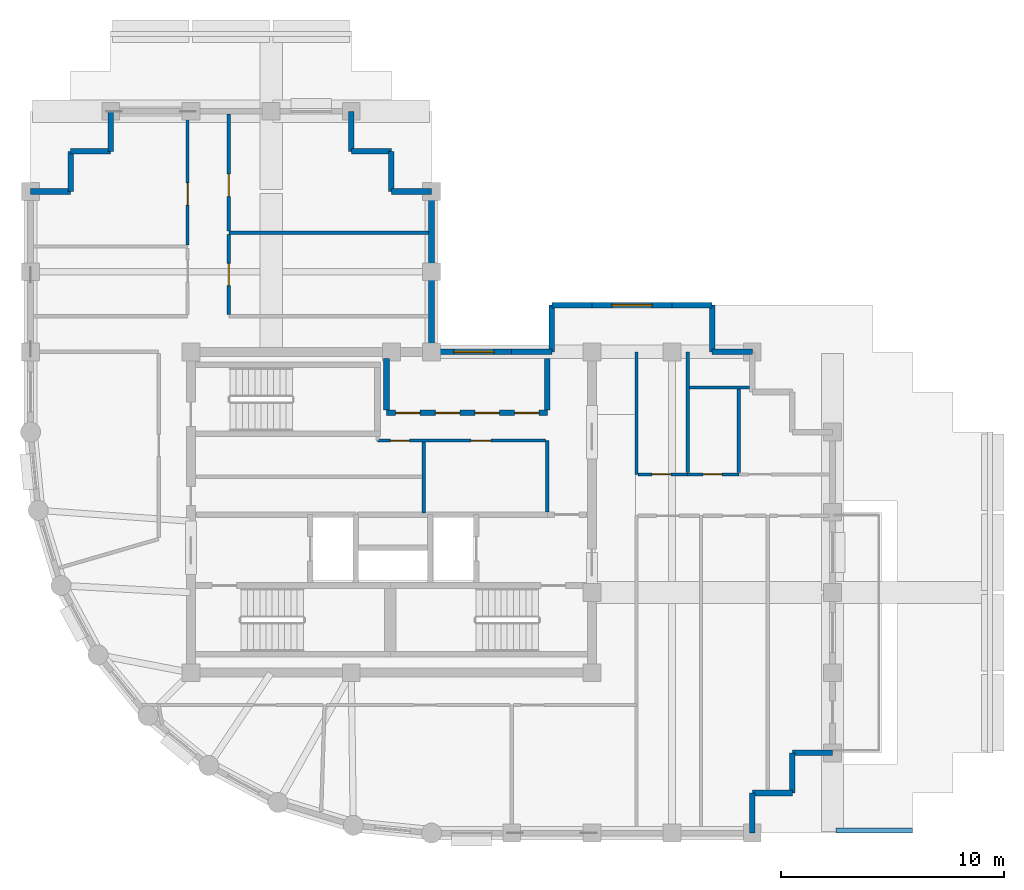
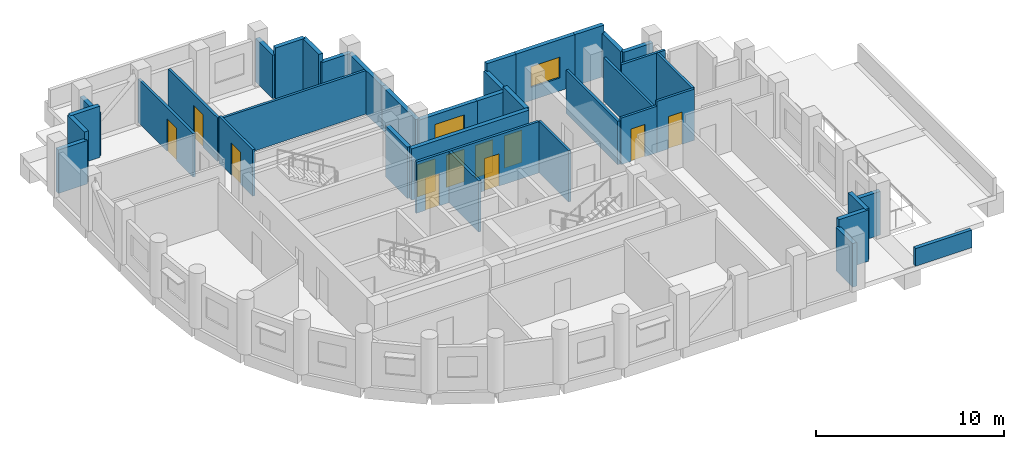
# One storey, part 4 of 7: 39 walls, 11 doors, 2 windows, 13 openings.
"""IFC4 building model written with IfcOpenShell, lengths in metres."""

import ifcopenshell
import ifcopenshell.guid

model = None  # the IFC model being written
_history = None  # IfcOwnerHistory: only IFC2X3 demands one
_inside = {}  # id of a spatial element -> (the spatial element, [elements in it])
_under = {}  # id of a project, library or spatial element -> (it, [spatial elements below it])
_declared = {}  # id of a project -> (the project, [libraries it declares])
_typed = {}  # id of a type object -> (the type object, [elements of that type])
_made_of = {}  # id of a material, layer set ... -> (it, [elements and type objects made of it])


def new_model(schema):
    """Start an empty IFC model of exactly this schema.

    Asked for "IFC4X3", IfcOpenShell would pick the latest addendum, in which some entities
    have other attributes; the version numbers below select the first issue.
    IFC2X3 requires an IfcOwnerHistory on every rooted entity: one is made here for all.
    """
    global model, _history
    if schema == "IFC4X3":
        model = ifcopenshell.file(schema_version=(4, 3, 0, 0))
    else:
        model = ifcopenshell.file(schema=schema)
    _inside.clear()
    _under.clear()
    _declared.clear()
    _typed.clear()
    _made_of.clear()
    _history = None
    if model.schema == "IFC2X3":
        org = make("IfcOrganization", Name="unknown")
        user = make(
            "IfcPersonAndOrganization",
            ThePerson=make("IfcPerson", FamilyName="unknown"),
            TheOrganization=org,
        )
        app = make(
            "IfcApplication",
            ApplicationDeveloper=org,
            Version="unknown",
            ApplicationFullName="unknown",
            ApplicationIdentifier="unknown",
        )
        _history = make(
            "IfcOwnerHistory",
            OwningUser=user,
            OwningApplication=app,
            ChangeAction="ADDED",
            CreationDate=0,
        )
    return model


def make(cls, **values):
    """One entity of the class cls with the attributes given. An attribute that is None is left unset."""
    return model.create_entity(
        cls, **{name: value for name, value in values.items() if value is not None}
    )


def rooted(cls, **values):
    """An entity with a GlobalId (a new one), such as an element, a storey or a relation."""
    return make(cls, GlobalId=ifcopenshell.guid.new(), OwnerHistory=_history, **values)


def si_unit(unit_type, name, prefix=None):
    """IfcSIUnit, for example si_unit("LENGTHUNIT", "METRE", prefix="MILLI")."""
    return make("IfcSIUnit", UnitType=unit_type, Prefix=prefix, Name=name)


def assignment(units):
    """IfcUnitAssignment: the units of a project."""
    return None if units is None else make("IfcUnitAssignment", Units=units)


def point(xyz):
    """IfcCartesianPoint."""
    return None if xyz is None else make("IfcCartesianPoint", Coordinates=xyz)


def direction(xyz):
    """IfcDirection."""
    return None if xyz is None else make("IfcDirection", DirectionRatios=xyz)


def frame(location, z_axis=None, x_axis=None):
    """IfcAxis2Placement3D, a coordinate frame: its origin and axes. An axis left out is left unset."""
    return make(
        "IfcAxis2Placement3D",
        Location=point(location),
        Axis=direction(z_axis),
        RefDirection=direction(x_axis),
    )


def frame_2d(location, x_axis=None):
    """IfcAxis2Placement2D, a coordinate frame in the plane: its origin and x axis."""
    return make(
        "IfcAxis2Placement2D", Location=point(location), RefDirection=direction(x_axis)
    )


def origin():
    """The frame at (0, 0, 0) with its axes left unset."""
    return frame((0.0, 0.0, 0.0))


def place(relative_to, where):
    """IfcLocalPlacement: puts the frame where relative to a parent placement (None: the world)."""
    return make(
        "IfcLocalPlacement", PlacementRelTo=relative_to, RelativePlacement=where
    )


def context(
    kind, dimensions, precision=None, world=None, true_north=None, identifier=None
):
    """IfcGeometricRepresentationContext, for example the 3D "Model" context."""
    return make(
        "IfcGeometricRepresentationContext",
        ContextIdentifier=identifier,
        ContextType=kind,
        CoordinateSpaceDimension=dimensions,
        Precision=precision,
        WorldCoordinateSystem=world,
        TrueNorth=true_north,
    )


def subcontext(parent, identifier, kind, view, scale=None):
    """IfcGeometricRepresentationSubContext, for example "Body" below "Model"."""
    return make(
        "IfcGeometricRepresentationSubContext",
        ContextIdentifier=identifier,
        ContextType=kind,
        ParentContext=parent,
        TargetScale=scale,
        TargetView=view,
    )


def project(units=None, contexts=None):
    """IfcProject with its units and contexts."""
    return rooted(
        "IfcProject",
        Name="project",
        RepresentationContexts=contexts,
        UnitsInContext=assignment(units),
    )


def spatial(cls, under=None, at=None, **own):
    """A site, building, storey or space (cls), placed at a placement, below another one or the project."""
    s = rooted(cls, ObjectPlacement=at, **own)
    if under is not None:
        _under.setdefault(under.id(), (under, []))[1].append(s)
    return s


def profile(cls, at=None, kind="AREA", **sizes):
    """A parametric profile (cls). Its sizes go by their IFC names, for example OverallWidth=200.0."""
    return make(cls, ProfileType=kind, Position=at, **sizes)


def rectangle(**sizes):
    """IfcRectangleProfileDef."""
    return profile("IfcRectangleProfileDef", **sizes)


def extrude(swept, where, along, depth):
    """IfcExtrudedAreaSolid: the profile swept, set in the frame where, extruded along a direction by depth."""
    return make(
        "IfcExtrudedAreaSolid",
        SweptArea=swept,
        Position=where,
        ExtrudedDirection=direction(along),
        Depth=depth,
    )


def shape(context_of_items, identifier, shape_type, items):
    """IfcShapeRepresentation: the items that make up one representation, for example the "Body"."""
    return make(
        "IfcShapeRepresentation",
        ContextOfItems=context_of_items,
        RepresentationIdentifier=identifier,
        RepresentationType=shape_type,
        Items=items,
    )


def material(Name=None, Category=None):
    """IfcMaterial."""
    return make("IfcMaterial", Name=Name, Category=Category)


def layer(
    of_material, thickness, ventilated=None, Name=None, Category=None, Priority=None
):
    """IfcMaterialLayer: one layer of a wall or slab, of a material (None: an air gap)."""
    return make(
        "IfcMaterialLayer",
        Material=of_material,
        LayerThickness=thickness,
        IsVentilated=ventilated,
        Name=Name,
        Category=Category,
        Priority=Priority,
    )


def layer_set(layers, Name=None):
    """IfcMaterialLayerSet."""
    return make("IfcMaterialLayerSet", MaterialLayers=layers, LayerSetName=Name)


def made_of(thing, what):
    """Note that an element or type object is made of a material, layer set ...; save() writes the relation."""
    if what is not None:
        _made_of.setdefault(what.id(), (what, []))[1].append(thing)
    return thing


def type_object(cls, material=None, **own):
    """A type object (cls), such as IfcWallType, which elements share."""
    return made_of(rooted(cls, **own), material)


def element(
    cls,
    number,
    at=None,
    inside=None,
    cuts=None,
    type_object=None,
    material=None,
    context=None,
    identifier="Body",
    shape_type=None,
    held_by="IfcProductDefinitionShape",
    body=None,
    shapes=None,
    **own,
):
    """One element of the class cls, such as IfcWall. Its Tag is "e" and its number.

    at: its placement. inside: the storey or other place that contains it. cuts: it is an
    opening in that element (IfcRelVoidsElement). A single representation is given by context,
    identifier, shape_type and body (its items); several are given by shapes. held_by: the class
    of the entity that holds the representations. save() writes the other relations.
    """
    e = rooted(cls, Tag="e%d" % number, ObjectPlacement=at, **own)
    if body is not None:
        shapes = [shape(context, identifier, shape_type, body)]
    if shapes is not None:
        e.Representation = make(held_by, Representations=shapes)
    if inside is not None:
        _inside.setdefault(inside.id(), (inside, []))[1].append(e)
    if cuts is not None:
        rooted(
            "IfcRelVoidsElement", RelatingBuildingElement=cuts, RelatedOpeningElement=e
        )
    if type_object is not None:
        _typed.setdefault(type_object.id(), (type_object, []))[1].append(e)
    return made_of(e, material)


def fill(opening, filler):
    """IfcRelFillsElement: the door or window that sits in an opening."""
    return rooted(
        "IfcRelFillsElement",
        RelatingOpeningElement=opening,
        RelatedBuildingElement=filler,
    )


def aggregate(whole, parts):
    """IfcRelAggregates: a whole, such as a stair, and the parts it consists of."""
    return rooted("IfcRelAggregates", RelatingObject=whole, RelatedObjects=parts)


def save(model, path):
    """Write the relations noted so far, then the file.

    IfcRelAggregates (storeys below a building ...), IfcRelContainedInSpatialStructure (elements
    in a storey), IfcRelDefinesByType, IfcRelAssociatesMaterial and IfcRelDeclares: one each for
    every whole, place, type object, material and project.
    """
    for whole, parts in _under.values():
        aggregate(whole, parts)
    for where, things in _inside.values():
        rooted(
            "IfcRelContainedInSpatialStructure",
            RelatedElements=things,
            RelatingStructure=where,
        )
    for kind, things in _typed.values():
        rooted("IfcRelDefinesByType", RelatedObjects=things, RelatingType=kind)
    for what, things in _made_of.values():
        rooted("IfcRelAssociatesMaterial", RelatedObjects=things, RelatingMaterial=what)
    for by, libraries in _declared.values():
        rooted("IfcRelDeclares", RelatingContext=by, RelatedDefinitions=libraries)
    model.write(path)


model = new_model("IFC4")

# Units and contexts
model_context = context("Model", 3, precision=1e-05, world=origin(), true_north=direction((0.0, 1.0)))
body_context = subcontext(model_context, "Body", "Model", "MODEL_VIEW")
ifc_project = project(units=[si_unit("LENGTHUNIT", "METRE"), si_unit("AREAUNIT", "SQUARE_METRE"), si_unit("VOLUMEUNIT", "CUBIC_METRE"), si_unit("PLANEANGLEUNIT", "RADIAN"), si_unit("MASSUNIT", "GRAM", prefix="KILO")], contexts=[model_context])

# Site, building, storey
site_placement = place(None, origin())
site = spatial("IfcSite", under=ifc_project, at=site_placement, CompositionType="ELEMENT")
building_placement = place(site_placement, origin())
building = spatial("IfcBuilding", under=site, at=building_placement, Name="Solnavia Interchange Tower", CompositionType="ELEMENT")
storey_placement = place(building_placement, frame((0.0, 0.0, 221.0)))
storey = spatial("IfcBuildingStorey", under=building, at=storey_placement, Name="L55", CompositionType="ELEMENT", Elevation=221.0)

# Walls
ifc_material_1 = material(Name="Concrete C40/50", Category="concrete")
ifc_layer_1 = layer(ifc_material_1, 0.25)
ifc_layer_set_1 = layer_set([ifc_layer_1], Name="Concrete C40/50")
wall_type_1 = type_object("IfcWallType", Name="Wall-ExtSpandrel-250", PredefinedType="STANDARD", material=ifc_layer_set_1)
wall_1_placement = place(storey_placement, frame((39.60009765625, 5.39990234375, 0.0), z_axis=(0.0, 0.0, 1.0), x_axis=(0.0, -1.0, 0.0)))
element("IfcWall", 1, at=wall_1_placement, inside=storey, type_object=wall_type_1, Name="EXW-L55-05 Exterior precast spandrel wall", PredefinedType="STANDARD", context=body_context, shape_type="SweptSolid", body=[
    extrude(rectangle(XDim=1.7998046875, YDim=0.25, at=frame_2d((0.89990234375, 0.0))), origin(), (0.0, 0.0, 1.0), 2.830078125),
])
wall_2_placement = place(storey_placement, frame((41.39990234375, 5.39990234375, 0.0), z_axis=(0.0, 0.0, 1.0), x_axis=(-1.0, 0.0, 0.0)))
element("IfcWall", 2, at=wall_2_placement, inside=storey, type_object=wall_type_1, Name="EXW-L55-06 Exterior precast spandrel wall", PredefinedType="STANDARD", context=body_context, shape_type="SweptSolid", body=[
    extrude(rectangle(XDim=1.7998046875, YDim=0.25, at=frame_2d((0.89990234375, 0.0))), origin(), (0.0, 0.0, 1.0), 3.3349609375),
])
wall_3_placement = place(storey_placement, frame((41.39990234375, 7.199951171875, 0.0), z_axis=(0.0, 0.0, 1.0), x_axis=(0.0, -1.0, 0.0)))
element("IfcWall", 3, at=wall_3_placement, inside=storey, type_object=wall_type_1, Name="EXW-L55-07 Exterior precast spandrel wall", PredefinedType="STANDARD", context=body_context, shape_type="SweptSolid", body=[
    extrude(rectangle(XDim=1.800048828125, YDim=0.25, at=frame_2d((0.89990234375, 0.0))), origin(), (0.0, 0.0, 1.0), 3.3349609375),
])
for number, where, z_axis, x_axis, name in (
    (4, (43.199951171875, 7.199951171875, 0.0), (0.0, 0.0, 1.0), (-1.0, 0.0, 0.0), "EXW-L55-08 Exterior precast spandrel wall"),
    (5, (37.800048828125, 25.199951171875, 0.0), (0.0, 0.0, 1.0), (1.0, 0.0, 0.0), "EXW-L55-17 Exterior precast spandrel wall"),
):
    element("IfcWall", number, at=place(storey_placement, frame(where, z_axis=z_axis, x_axis=x_axis)), inside=storey, type_object=wall_type_1, Name=name, PredefinedType="STANDARD", context=body_context, shape_type="SweptSolid", body=[
        extrude(rectangle(XDim=1.800048828125, YDim=0.25, at=frame_2d((0.89990234375, 0.0))), origin(), (0.0, 0.0, 1.0), 2.830078125),
    ])
wall_4_placement = place(storey_placement, frame((37.800048828125, 27.300048828125, 0.0), z_axis=(0.0, 0.0, 1.0), x_axis=(0.0, -1.0, 0.0)))
element("IfcWall", 6, at=wall_4_placement, inside=storey, type_object=wall_type_1, Name="EXW-L55-18 Exterior precast spandrel wall", PredefinedType="STANDARD", context=body_context, shape_type="SweptSolid", body=[
    extrude(rectangle(XDim=2.10009765625, YDim=0.25, at=frame_2d((1.050048828125, 0.0))), origin(), (0.0, 0.0, 1.0), 2.830078125),
])
wall_5_placement = place(storey_placement, frame((36.0, 27.300048828125, 0.0), z_axis=(0.0, 0.0, 1.0), x_axis=(1.0, 0.0, 0.0)))
element("IfcWall", 7, at=wall_5_placement, inside=storey, type_object=wall_type_1, Name="EXW-L55-19 Exterior precast spandrel wall", PredefinedType="STANDARD", context=body_context, shape_type="SweptSolid", body=[
    extrude(rectangle(XDim=1.800048828125, YDim=0.25, at=frame_2d((0.89990234375, 0.0))), origin(), (0.0, 0.0, 1.0), 3.3349609375),
])

# Wall, opening, window
wall_6_placement = place(storey_placement, frame((32.39990234375, 27.300048828125, 0.0), z_axis=(0.0, 0.0, 1.0), x_axis=(1.0, 0.0, 0.0)))
wall_6 = element("IfcWall", 8, at=wall_6_placement, inside=storey, type_object=wall_type_1, Name="EXW-L55-20 Exterior precast spandrel wall", PredefinedType="STANDARD", context=body_context, shape_type="SweptSolid", body=[
    extrude(rectangle(XDim=3.60009765625, YDim=0.25, at=frame_2d((1.800048828125, 0.0))), origin(), (0.0, 0.0, 1.0), 3.3349609375),
])
opening_1_placement = place(wall_6_placement, frame((0.89990234375, 0.0, 0.85009765625)))
opening_1 = element("IfcOpeningElement", 9, at=opening_1_placement, cuts=wall_6, Name="Opening WIN-02", PredefinedType="OPENING", context=body_context, shape_type="SweptSolid", body=[
    extrude(rectangle(XDim=1.800048828125, YDim=1.35009765625, at=frame_2d((0.89990234375, 0.675048828125))), frame((0.0, 0.135009765625, 0.0), z_axis=(0.0, -1.0, 0.0), x_axis=(1.0, 0.0, 0.0)), (0.0, 0.0, 1.0), 0.27001953125),
])
ifc_material_2 = material(Name="Thermal-Break Aluminium & Low-E Glass", Category="aluminium")
window_type = type_object("IfcWindowType", Name="Window-Ribbon-1800x1350", PartitioningType="SINGLE_PANEL", PredefinedType="WINDOW", material=ifc_material_2)
window_1_placement = place(opening_1_placement, origin())
window_1 = element("IfcWindow", 10, at=window_1_placement, inside=storey, type_object=window_type, Name="WIN-L55-20 Facade ribbon window", OverallHeight=1.35009765625, OverallWidth=1.800048828125, PartitioningType="SINGLE_PANEL", PredefinedType="WINDOW", context=body_context, shape_type="SweptSolid", body=[
    extrude(rectangle(XDim=1.800048828125, YDim=1.35009765625, at=frame_2d((0.89990234375, 0.675048828125))), frame((0.0, 0.030029296875, 0.0), z_axis=(0.0, -1.0, 0.0), x_axis=(1.0, 0.0, 0.0)), (0.0, 0.0, 1.0), 0.06005859375),
])
fill(opening_1, window_1)

# Walls
wall_7_placement = place(storey_placement, frame((30.60009765625, 27.300048828125, 0.0), z_axis=(0.0, 0.0, 1.0), x_axis=(1.0, 0.0, 0.0)))
element("IfcWall", 11, at=wall_7_placement, inside=storey, type_object=wall_type_1, Name="EXW-L55-21 Exterior precast spandrel wall", PredefinedType="STANDARD", context=body_context, shape_type="SweptSolid", body=[
    extrude(rectangle(XDim=1.7998046875, YDim=0.25, at=frame_2d((0.89990234375, 0.0))), origin(), (0.0, 0.0, 1.0), 3.3349609375),
])
wall_8_placement = place(storey_placement, frame((30.60009765625, 27.300048828125, 0.0), z_axis=(0.0, 0.0, 1.0), x_axis=(0.0, -1.0, 0.0)))
element("IfcWall", 12, at=wall_8_placement, inside=storey, type_object=wall_type_1, Name="EXW-L55-22 Exterior precast spandrel wall", PredefinedType="STANDARD", context=body_context, shape_type="SweptSolid", body=[
    extrude(rectangle(XDim=2.10009765625, YDim=0.25, at=frame_2d((1.050048828125, 0.0))), origin(), (0.0, 0.0, 1.0), 2.830078125),
])
wall_9_placement = place(storey_placement, frame((28.800048828125, 25.199951171875, 0.0), z_axis=(0.0, 0.0, 1.0), x_axis=(1.0, 0.0, 0.0)))
element("IfcWall", 13, at=wall_9_placement, inside=storey, type_object=wall_type_1, Name="EXW-L55-23 Exterior precast spandrel wall", PredefinedType="STANDARD", context=body_context, shape_type="SweptSolid", body=[
    extrude(rectangle(XDim=1.800048828125, YDim=0.25, at=frame_2d((0.89990234375, 0.0))), origin(), (0.0, 0.0, 1.0), 2.830078125),
])

# Wall, opening, window
wall_10_placement = place(storey_placement, frame((25.199951171875, 25.199951171875, 0.0), z_axis=(0.0, 0.0, 1.0), x_axis=(1.0, 0.0, 0.0)))
wall_10 = element("IfcWall", 14, at=wall_10_placement, inside=storey, type_object=wall_type_1, Name="EXW-L55-24 Exterior precast spandrel wall", PredefinedType="STANDARD", context=body_context, shape_type="SweptSolid", body=[
    extrude(rectangle(XDim=3.60009765625, YDim=0.25, at=frame_2d((1.800048828125, 0.0))), origin(), (0.0, 0.0, 1.0), 2.830078125),
])
opening_2_placement = place(wall_10_placement, frame((1.0048828125, 0.0, 0.85009765625)))
opening_2 = element("IfcOpeningElement", 15, at=opening_2_placement, cuts=wall_10, Name="Opening WIN-02", PredefinedType="OPENING", context=body_context, shape_type="SweptSolid", body=[
    extrude(rectangle(XDim=1.800048828125, YDim=1.35009765625, at=frame_2d((0.89990234375, 0.675048828125))), frame((0.0, 0.135009765625, 0.0), z_axis=(0.0, -1.0, 0.0), x_axis=(1.0, 0.0, 0.0)), (0.0, 0.0, 1.0), 0.27001953125),
])
window_2_placement = place(opening_2_placement, origin())
window_2 = element("IfcWindow", 16, at=window_2_placement, inside=storey, type_object=window_type, Name="WIN-L55-24 Facade ribbon window", OverallHeight=1.35009765625, OverallWidth=1.800048828125, PartitioningType="SINGLE_PANEL", PredefinedType="WINDOW", context=body_context, shape_type="SweptSolid", body=[
    extrude(rectangle(XDim=1.800048828125, YDim=1.35009765625, at=frame_2d((0.89990234375, 0.675048828125))), frame((0.0, 0.030029296875, 0.0), z_axis=(0.0, -1.0, 0.0), x_axis=(1.0, 0.0, 0.0)), (0.0, 0.0, 1.0), 0.06005859375),
])
fill(opening_2, window_2)

# Walls
wall_11_placement = place(storey_placement, frame((25.199951171875, 28.800048828125, 0.0), z_axis=(0.0, 0.0, 1.0), x_axis=(0.0, -1.0, 0.0)))
element("IfcWall", 17, at=wall_11_placement, inside=storey, type_object=wall_type_1, Name="EXW-L55-25 Exterior precast spandrel wall", PredefinedType="STANDARD", context=body_context, shape_type="SweptSolid", body=[
    extrude(rectangle(XDim=3.60009765625, YDim=0.25, at=frame_2d((1.800048828125, 0.0))), origin(), (0.0, 0.0, 1.0), 2.830078125),
])
wall_12_placement = place(storey_placement, frame((25.199951171875, 32.39990234375, 0.0), z_axis=(0.0, 0.0, 1.0), x_axis=(0.0, -1.0, 0.0)))
element("IfcWall", 18, at=wall_12_placement, inside=storey, type_object=wall_type_1, Name="EXW-L55-26 Exterior precast spandrel wall", PredefinedType="STANDARD", context=body_context, shape_type="SweptSolid", body=[
    extrude(rectangle(XDim=3.599853515625, YDim=0.25, at=frame_2d((1.7998046875, 0.0))), origin(), (0.0, 0.0, 1.0), 2.830078125),
])
wall_13_placement = place(storey_placement, frame((23.39990234375, 32.39990234375, 0.0), z_axis=(0.0, 0.0, 1.0), x_axis=(1.0, 0.0, 0.0)))
element("IfcWall", 19, at=wall_13_placement, inside=storey, type_object=wall_type_1, Name="EXW-L55-27 Exterior precast spandrel wall", PredefinedType="STANDARD", context=body_context, shape_type="SweptSolid", body=[
    extrude(rectangle(XDim=1.800048828125, YDim=0.25, at=frame_2d((0.89990234375, 0.0))), origin(), (0.0, 0.0, 1.0), 2.830078125),
])
wall_14_placement = place(storey_placement, frame((23.39990234375, 32.39990234375, 0.0), z_axis=(0.0, 0.0, 1.0), x_axis=(0.0, 1.0, 0.0)))
element("IfcWall", 20, at=wall_14_placement, inside=storey, type_object=wall_type_1, Name="EXW-L55-28 Exterior precast spandrel wall", PredefinedType="STANDARD", context=body_context, shape_type="SweptSolid", body=[
    extrude(rectangle(XDim=1.800048828125, YDim=0.25, at=frame_2d((0.89990234375, 0.0))), origin(), (0.0, 0.0, 1.0), 3.3349609375),
])
wall_15_placement = place(storey_placement, frame((21.60009765625, 34.199951171875, 0.0), z_axis=(0.0, 0.0, 1.0), x_axis=(1.0, 0.0, 0.0)))
element("IfcWall", 21, at=wall_15_placement, inside=storey, type_object=wall_type_1, Name="EXW-L55-29 Exterior precast spandrel wall", PredefinedType="STANDARD", context=body_context, shape_type="SweptSolid", body=[
    extrude(rectangle(XDim=1.7998046875, YDim=0.25, at=frame_2d((0.89990234375, 0.0))), origin(), (0.0, 0.0, 1.0), 3.3349609375),
])
for number, where, z_axis, x_axis, name in (
    (22, (21.60009765625, 34.199951171875, 0.0), (0.0, 0.0, 1.0), (0.0, 1.0, 0.0), "EXW-L55-30 Exterior precast spandrel wall"),
    (23, (10.800048828125, 34.199951171875, 0.0), (0.0, 0.0, 1.0), (0.0, 1.0, 0.0), "EXW-L55-34 Exterior precast spandrel wall"),
):
    element("IfcWall", number, at=place(storey_placement, frame(where, z_axis=z_axis, x_axis=x_axis)), inside=storey, type_object=wall_type_1, Name=name, PredefinedType="STANDARD", context=body_context, shape_type="SweptSolid", body=[
        extrude(rectangle(XDim=1.800048828125, YDim=0.25, at=frame_2d((0.89990234375, 0.0))), origin(), (0.0, 0.0, 1.0), 2.830078125),
    ])
for number, where, z_axis, x_axis, name in (
    (24, (9.0, 34.199951171875, 0.0), (0.0, 0.0, 1.0), (1.0, 0.0, 0.0), "EXW-L55-35 Exterior precast spandrel wall"),
    (25, (9.0, 32.39990234375, 0.0), (0.0, 0.0, 1.0), (0.0, 1.0, 0.0), "EXW-L55-36 Exterior precast spandrel wall"),
):
    element("IfcWall", number, at=place(storey_placement, frame(where, z_axis=z_axis, x_axis=x_axis)), inside=storey, type_object=wall_type_1, Name=name, PredefinedType="STANDARD", context=body_context, shape_type="SweptSolid", body=[
        extrude(rectangle(XDim=1.800048828125, YDim=0.25, at=frame_2d((0.89990234375, 0.0))), origin(), (0.0, 0.0, 1.0), 3.3349609375),
    ])
wall_16_placement = place(storey_placement, frame((7.199951171875, 32.39990234375, 0.0), z_axis=(0.0, 0.0, 1.0), x_axis=(1.0, 0.0, 0.0)))
element("IfcWall", 26, at=wall_16_placement, inside=storey, type_object=wall_type_1, Name="EXW-L55-37 Exterior precast spandrel wall", PredefinedType="STANDARD", context=body_context, shape_type="SweptSolid", body=[
    extrude(rectangle(XDim=1.800048828125, YDim=0.25, at=frame_2d((0.89990234375, 0.0))), origin(), (0.0, 0.0, 1.0), 2.830078125),
])
ifc_layer_2 = layer(ifc_material_1, 0.219970703125)
ifc_layer_set_2 = layer_set([ifc_layer_2], Name="Concrete C40/50")
wall_type_2 = type_object("IfcWallType", Name="Wall-Parapet-220", PredefinedType="PARAPET", material=ifc_layer_set_2)
wall_17_placement = place(storey_placement, frame((43.35009765625, 3.719970703125, 0.0), z_axis=(0.0, 0.0, 1.0), x_axis=(1.0, 0.0, 0.0)))
element("IfcWall", 27, at=wall_17_placement, inside=storey, type_object=wall_type_2, Name="PRP-L55-E1 Setback roof parapet", PredefinedType="PARAPET", context=body_context, shape_type="SweptSolid", body=[
    extrude(rectangle(XDim=3.449951171875, YDim=0.219970703125, at=frame_2d((1.72509765625, 0.0))), origin(), (0.0, 0.0, 1.0), 1.14990234375),
])

# Wall, openings, doors
ifc_material_3 = material(Name="Gypsum Plasterboard & Steel Stud", Category="steel")
ifc_layer_3 = layer(ifc_material_3, 0.14990234375)
ifc_layer_set_3 = layer_set([ifc_layer_3], Name="Gypsum Plasterboard & Steel Stud")
wall_type_3 = type_object("IfcWallType", Name="Wall-Partition-150", PredefinedType="PARTITIONING", material=ifc_layer_set_3)
wall_18_placement = place(storey_placement, frame((22.77490234375, 21.219970703125, 0.0), z_axis=(0.0, 0.0, 1.0), x_axis=(1.0, 0.0, 0.0)))
wall_18 = element("IfcWall", 28, at=wall_18_placement, inside=storey, type_object=wall_type_3, Name="CSW-L55-N-ALL Core shaft wall", PredefinedType="PARTITIONING", context=body_context, shape_type="SweptSolid", body=[
    extrude(rectangle(XDim=7.545166015625, YDim=0.14990234375, at=frame_2d((3.7724609375, 0.0))), origin(), (0.0, 0.0, 1.0), 3.3349609375),
])
opening_3_placement = place(wall_18_placement, frame((0.580078125, 0.0, 0.0)))
opening_3 = element("IfcOpeningElement", 29, at=opening_3_placement, cuts=wall_18, Name="Opening DR-10", PredefinedType="OPENING", context=body_context, shape_type="SweptSolid", body=[
    extrude(rectangle(XDim=0.85009765625, YDim=2.10009765625, at=frame_2d((0.425048828125, 1.050048828125))), frame((0.0, 0.0849609375, 0.0), z_axis=(0.0, -1.0, 0.0), x_axis=(1.0, 0.0, 0.0)), (0.0, 0.0, 1.0), 0.169921875),
])
opening_4_placement = place(wall_18_placement, frame((4.199951171875, 0.0, 0.0)))
opening_4 = element("IfcOpeningElement", 30, at=opening_4_placement, cuts=wall_18, Name="Opening DR-09", PredefinedType="OPENING", context=body_context, shape_type="SweptSolid", body=[
    extrude(rectangle(XDim=0.89990234375, YDim=2.10009765625, at=frame_2d((0.449951171875, 1.050048828125))), frame((0.0, 0.0849609375, 0.0), z_axis=(0.0, -1.0, 0.0), x_axis=(1.0, 0.0, 0.0)), (0.0, 0.0, 1.0), 0.169921875),
])
ifc_material_4 = material(Name="Moisture-Resistant Timber Door", Category="wood")
door_type_1 = type_object("IfcDoorType", Name="Door-Bathroom-850x2100", OperationType="SINGLE_SWING_RIGHT", PredefinedType="DOOR", material=ifc_material_4)
door_1_placement = place(opening_3_placement, origin())
door_1 = element("IfcDoor", 31, at=door_1_placement, inside=storey, type_object=door_type_1, Name="DR-L55-CS2 Core fire door", OperationType="SINGLE_SWING_LEFT", OverallHeight=2.10009765625, OverallWidth=0.85009765625, PredefinedType="DOOR", context=body_context, shape_type="SweptSolid", body=[
    extrude(rectangle(XDim=0.85009765625, YDim=2.10009765625, at=frame_2d((0.425048828125, 1.050048828125))), frame((0.0, 0.02490234375, 0.0), z_axis=(0.0, -1.0, 0.0), x_axis=(1.0, 0.0, 0.0)), (0.0, 0.0, 1.0), 0.050048828125),
])
fill(opening_3, door_1)
ifc_material_5 = material(Name="Engineered Oak Veneer Door", Category="wood")
door_type_2 = type_object("IfcDoorType", Name="Door-Internal-900x2100", OperationType="SINGLE_SWING_LEFT", PredefinedType="DOOR", material=ifc_material_5)
door_2_placement = place(opening_4_placement, origin())
door_2 = element("IfcDoor", 32, at=door_2_placement, inside=storey, type_object=door_type_2, Name="DR-L55-CS3 Core fire door", OperationType="SINGLE_SWING_RIGHT", OverallHeight=2.10009765625, OverallWidth=0.89990234375, PredefinedType="DOOR", context=body_context, shape_type="SweptSolid", body=[
    extrude(rectangle(XDim=0.89990234375, YDim=2.10009765625, at=frame_2d((0.449951171875, 1.050048828125))), frame((0.0, 0.02490234375, 0.0), z_axis=(0.0, -1.0, 0.0), x_axis=(1.0, 0.0, 0.0)), (0.0, 0.0, 1.0), 0.050048828125),
])
fill(opening_4, door_2)

# Walls
wall_19_placement = place(storey_placement, frame((30.39990234375, 18.02001953125, 0.0), z_axis=(0.0, 0.0, 1.0), x_axis=(0.0, 1.0, 0.0)))
element("IfcWall", 33, at=wall_19_placement, inside=storey, type_object=wall_type_3, Name="CSW-L55-E-E Core shaft wall", PredefinedType="PARTITIONING", context=body_context, shape_type="SweptSolid", body=[
    extrude(rectangle(XDim=3.199951171875, YDim=0.14990234375, at=frame_2d((1.60009765625, 0.0))), origin(), (0.0, 0.0, 1.0), 3.3349609375),
])
wall_20_placement = place(storey_placement, frame((24.85009765625, 17.97998046875, 0.0), z_axis=(0.0, 0.0, 1.0), x_axis=(0.0, 1.0, 0.0)))
element("IfcWall", 34, at=wall_20_placement, inside=storey, type_object=wall_type_3, Name="CSW-L55-M1 Core shaft wall", PredefinedType="PARTITIONING", context=body_context, shape_type="SweptSolid", body=[
    extrude(rectangle(XDim=3.169921875, YDim=0.14990234375, at=frame_2d((1.5849609375, 0.0))), origin(), (0.0, 0.0, 1.0), 3.3349609375),
])

# Wall, opening, door
wall_21_placement = place(storey_placement, frame((14.25, 30.009033203125, 0.0), z_axis=(0.0, 0.0, 1.0), x_axis=(0.0, 1.0, 0.0)))
wall_21 = element("IfcWall", 35, at=wall_21_placement, inside=storey, type_object=wall_type_3, Name="PTW-L55-27 Interior partition wall", PredefinedType="PARTITIONING", context=body_context, shape_type="SweptSolid", body=[
    extrude(rectangle(XDim=5.862060546875, YDim=0.14990234375, at=frame_2d((2.93115234375, 0.0))), origin(), (0.0, 0.0, 1.0), 2.830078125),
])
opening_5_placement = place(wall_21_placement, frame((1.783935546875, 0.0, 0.0)))
opening_5 = element("IfcOpeningElement", 36, at=opening_5_placement, cuts=wall_21, Name="Opening DR-07", PredefinedType="OPENING", context=body_context, shape_type="SweptSolid", body=[
    extrude(rectangle(XDim=1.0, YDim=2.10009765625, at=frame_2d((0.5, 1.050048828125))), frame((0.0, 0.0849609375, 0.0), z_axis=(0.0, -1.0, 0.0), x_axis=(1.0, 0.0, 0.0)), (0.0, 0.0, 1.0), 0.169921875),
])
ifc_material_6 = material(Name="Timber & Acoustic Glazed Office Door", Category="wood")
door_type_3 = type_object("IfcDoorType", Name="Door-Office-1000x2100", OperationType="SINGLE_SWING_RIGHT", PredefinedType="DOOR", material=ifc_material_6)
door_3_placement = place(opening_5_placement, origin())
door_3 = element("IfcDoor", 37, at=door_3_placement, inside=storey, type_object=door_type_3, Name="DR-L55-13 Interior room door", OperationType="SINGLE_SWING_RIGHT", OverallHeight=2.10009765625, OverallWidth=1.0, PredefinedType="DOOR", context=body_context, shape_type="SweptSolid", body=[
    extrude(rectangle(XDim=1.0, YDim=2.10009765625, at=frame_2d((0.5, 1.050048828125))), frame((0.0, 0.02490234375, 0.0), z_axis=(0.0, -1.0, 0.0), x_axis=(1.0, 0.0, 0.0)), (0.0, 0.0, 1.0), 0.050048828125),
])
fill(opening_5, door_3)

# Wall
wall_22_placement = place(storey_placement, frame((16.10009765625, 30.550048828125, 0.0), z_axis=(0.0, 0.0, 1.0), x_axis=(1.0, 0.0, 0.0)))
element("IfcWall", 38, at=wall_22_placement, inside=storey, type_object=wall_type_3, Name="PTW-L55-29 Interior partition wall", PredefinedType="PARTITIONING", context=body_context, shape_type="SweptSolid", body=[
    extrude(rectangle(XDim=8.970947265625, YDim=0.14990234375, at=frame_2d((4.4853515625, 0.0))), origin(), (0.0, 0.0, 1.0), 2.830078125),
])

# Wall, opening, door
wall_23_placement = place(storey_placement, frame((16.10009765625, 26.87890625, 0.0), z_axis=(0.0, 0.0, 1.0), x_axis=(0.0, 1.0, 0.0)))
wall_23 = element("IfcWall", 39, at=wall_23_placement, inside=storey, type_object=wall_type_3, Name="PTW-L55-30 Interior partition wall", PredefinedType="PARTITIONING", context=body_context, shape_type="SweptSolid", body=[
    extrude(rectangle(XDim=3.592041015625, YDim=0.14990234375, at=frame_2d((1.7958984375, 0.0))), origin(), (0.0, 0.0, 1.0), 3.030029296875),
])
opening_6_placement = place(wall_23_placement, frame((1.2958984375, 0.0, 0.0)))
opening_6 = element("IfcOpeningElement", 40, at=opening_6_placement, cuts=wall_23, Name="Opening DR-07", PredefinedType="OPENING", context=body_context, shape_type="SweptSolid", body=[
    extrude(rectangle(XDim=1.0, YDim=2.10009765625, at=frame_2d((0.5, 1.050048828125))), frame((0.0, 0.0849609375, 0.0), z_axis=(0.0, -1.0, 0.0), x_axis=(1.0, 0.0, 0.0)), (0.0, 0.0, 1.0), 0.169921875),
])
door_4_placement = place(opening_6_placement, origin())
door_4 = element("IfcDoor", 41, at=door_4_placement, inside=storey, type_object=door_type_3, Name="DR-L55-14 Interior room door", OperationType="SINGLE_SWING_LEFT", OverallHeight=2.10009765625, OverallWidth=1.0, PredefinedType="DOOR", context=body_context, shape_type="SweptSolid", body=[
    extrude(rectangle(XDim=1.0, YDim=2.10009765625, at=frame_2d((0.5, 1.050048828125))), frame((0.0, 0.02490234375, 0.0), z_axis=(0.0, -1.0, 0.0), x_axis=(1.0, 0.0, 0.0)), (0.0, 0.0, 1.0), 0.050048828125),
])
fill(opening_6, door_4)

wall_24_placement = place(storey_placement, frame((16.10009765625, 30.62890625, 0.0), z_axis=(0.0, 0.0, 1.0), x_axis=(0.0, 1.0, 0.0)))
wall_24 = element("IfcWall", 42, at=wall_24_placement, inside=storey, type_object=wall_type_3, Name="PTW-L55-31 Interior partition wall", PredefinedType="PARTITIONING", context=body_context, shape_type="SweptSolid", body=[
    extrude(rectangle(XDim=5.2421875, YDim=0.14990234375, at=frame_2d((2.62109375, 0.0))), origin(), (0.0, 0.0, 1.0), 2.830078125),
])
opening_7_placement = place(wall_24_placement, frame((1.551025390625, 0.0, 0.0)))
opening_7 = element("IfcOpeningElement", 43, at=opening_7_placement, cuts=wall_24, Name="Opening DR-07", PredefinedType="OPENING", context=body_context, shape_type="SweptSolid", body=[
    extrude(rectangle(XDim=1.0, YDim=2.10009765625, at=frame_2d((0.5, 1.050048828125))), frame((0.0, 0.0849609375, 0.0), z_axis=(0.0, -1.0, 0.0), x_axis=(1.0, 0.0, 0.0)), (0.0, 0.0, 1.0), 0.169921875),
])
door_5_placement = place(opening_7_placement, origin())
door_5 = element("IfcDoor", 44, at=door_5_placement, inside=storey, type_object=door_type_3, Name="DR-L55-15 Interior room door", OperationType="SINGLE_SWING_LEFT", OverallHeight=2.10009765625, OverallWidth=1.0, PredefinedType="DOOR", context=body_context, shape_type="SweptSolid", body=[
    extrude(rectangle(XDim=1.0, YDim=2.10009765625, at=frame_2d((0.5, 1.050048828125))), frame((0.0, 0.02490234375, 0.0), z_axis=(0.0, -1.0, 0.0), x_axis=(1.0, 0.0, 0.0)), (0.0, 0.0, 1.0), 0.050048828125),
])
fill(opening_7, door_5)

# Wall, openings, doors
ifc_layer_4 = layer(ifc_material_1, 0.25)
ifc_layer_set_4 = layer_set([ifc_layer_4], Name="Concrete C40/50")
wall_type_4 = type_object("IfcWallType", Name="Wall-ShaftPart-250", PredefinedType="PARTITIONING", material=ifc_layer_set_4)
wall_25_placement = place(storey_placement, frame((23.179931640625, 22.4599609375, 0.0), z_axis=(0.0, 0.0, 1.0), x_axis=(1.0, 0.0, 0.0)))
wall_25 = element("IfcWall", 45, at=wall_25_placement, inside=storey, type_object=wall_type_4, Name="SHW-L55-B3S Core shaft wall", PredefinedType="PARTITIONING", context=body_context, shape_type="SweptSolid", body=[
    extrude(rectangle(XDim=7.219970703125, YDim=0.25, at=frame_2d((3.60986328125, 0.0))), origin(), (0.0, 0.0, 1.0), 3.3349609375),
])
opening_8_placement = place(wall_25_placement, frame((0.409912109375, 0.0, 0.0)))
opening_8 = element("IfcOpeningElement", 46, at=opening_8_placement, cuts=wall_25, Name="Opening LD-01", PredefinedType="OPENING", context=body_context, shape_type="SweptSolid", body=[
    extrude(rectangle(XDim=1.10009765625, YDim=2.10009765625, at=frame_2d((0.550048828125, 1.050048828125))), frame((0.0, 0.135009765625, 0.0), z_axis=(0.0, -1.0, 0.0), x_axis=(1.0, 0.0, 0.0)), (0.0, 0.0, 1.0), 0.27001953125),
])
opening_9_placement = place(wall_25_placement, frame((2.18994140625, 0.0, 0.0)))
opening_9 = element("IfcOpeningElement", 47, at=opening_9_placement, cuts=wall_25, Name="Opening LD-01", PredefinedType="OPENING", context=body_context, shape_type="SweptSolid", body=[
    extrude(rectangle(XDim=1.10009765625, YDim=2.10009765625, at=frame_2d((0.550048828125, 1.050048828125))), frame((0.0, 0.135009765625, 0.0), z_axis=(0.0, -1.0, 0.0), x_axis=(1.0, 0.0, 0.0)), (0.0, 0.0, 1.0), 0.27001953125),
])
opening_10_placement = place(wall_25_placement, frame((3.969970703125, 0.0, 0.0)))
opening_10 = element("IfcOpeningElement", 48, at=opening_10_placement, cuts=wall_25, Name="Opening LD-01", PredefinedType="OPENING", context=body_context, shape_type="SweptSolid", body=[
    extrude(rectangle(XDim=1.10009765625, YDim=2.10009765625, at=frame_2d((0.550048828125, 1.050048828125))), frame((0.0, 0.135009765625, 0.0), z_axis=(0.0, -1.0, 0.0), x_axis=(1.0, 0.0, 0.0)), (0.0, 0.0, 1.0), 0.27001953125),
])
opening_11_placement = place(wall_25_placement, frame((5.75, 0.0, 0.0)))
opening_11 = element("IfcOpeningElement", 49, at=opening_11_placement, cuts=wall_25, Name="Opening LD-01", PredefinedType="OPENING", context=body_context, shape_type="SweptSolid", body=[
    extrude(rectangle(XDim=1.10009765625, YDim=2.10009765625, at=frame_2d((0.550048828125, 1.050048828125))), frame((0.0, 0.135009765625, 0.0), z_axis=(0.0, -1.0, 0.0), x_axis=(1.0, 0.0, 0.0)), (0.0, 0.0, 1.0), 0.27001953125),
])
ifc_material_7 = material(Name="Brushed Stainless Steel Sliding Door", Category="steel")
door_type_4 = type_object("IfcDoorType", Name="Door-LiftLanding-1100x2100", OperationType="SLIDING_TO_LEFT", PredefinedType="DOOR", material=ifc_material_7)
door_6_placement = place(opening_8_placement, origin())
door_6 = element("IfcDoor", 50, at=door_6_placement, inside=storey, type_object=door_type_4, Name="LD-L55-B3-1 Lift landing sliding door", OperationType="SLIDING_TO_LEFT", OverallHeight=2.10009765625, OverallWidth=1.10009765625, PredefinedType="DOOR", context=body_context, shape_type="SweptSolid", body=[
    extrude(rectangle(XDim=1.10009765625, YDim=2.10009765625, at=frame_2d((0.550048828125, 1.050048828125))), frame((0.0, 0.02490234375, 0.0), z_axis=(0.0, -1.0, 0.0), x_axis=(1.0, 0.0, 0.0)), (0.0, 0.0, 1.0), 0.050048828125),
])
fill(opening_8, door_6)
door_7_placement = place(opening_9_placement, origin())
door_7 = element("IfcDoor", 51, at=door_7_placement, inside=storey, type_object=door_type_4, Name="LD-L55-B3-2 Lift landing sliding door", OperationType="SLIDING_TO_LEFT", OverallHeight=2.10009765625, OverallWidth=1.10009765625, PredefinedType="DOOR", context=body_context, shape_type="SweptSolid", body=[
    extrude(rectangle(XDim=1.10009765625, YDim=2.10009765625, at=frame_2d((0.550048828125, 1.050048828125))), frame((0.0, 0.02490234375, 0.0), z_axis=(0.0, -1.0, 0.0), x_axis=(1.0, 0.0, 0.0)), (0.0, 0.0, 1.0), 0.050048828125),
])
fill(opening_9, door_7)
door_8_placement = place(opening_10_placement, origin())
door_8 = element("IfcDoor", 52, at=door_8_placement, inside=storey, type_object=door_type_4, Name="LD-L55-B3-3 Lift landing sliding door", OperationType="SLIDING_TO_LEFT", OverallHeight=2.10009765625, OverallWidth=1.10009765625, PredefinedType="DOOR", context=body_context, shape_type="SweptSolid", body=[
    extrude(rectangle(XDim=1.10009765625, YDim=2.10009765625, at=frame_2d((0.550048828125, 1.050048828125))), frame((0.0, 0.02490234375, 0.0), z_axis=(0.0, -1.0, 0.0), x_axis=(1.0, 0.0, 0.0)), (0.0, 0.0, 1.0), 0.050048828125),
])
fill(opening_10, door_8)
door_9_placement = place(opening_11_placement, origin())
door_9 = element("IfcDoor", 53, at=door_9_placement, inside=storey, type_object=door_type_4, Name="LD-L55-B3-4 Lift landing sliding door", OperationType="SLIDING_TO_LEFT", OverallHeight=2.10009765625, OverallWidth=1.10009765625, PredefinedType="DOOR", context=body_context, shape_type="SweptSolid", body=[
    extrude(rectangle(XDim=1.10009765625, YDim=2.10009765625, at=frame_2d((0.550048828125, 1.050048828125))), frame((0.0, 0.02490234375, 0.0), z_axis=(0.0, -1.0, 0.0), x_axis=(1.0, 0.0, 0.0)), (0.0, 0.0, 1.0), 0.050048828125),
])
fill(opening_11, door_9)

# Walls
for number, where, z_axis, x_axis, name in (
    (54, (23.179931640625, 22.5849609375, 0.0), (0.0, 0.0, 1.0), (0.0, 1.0, 0.0), "SHW-L55-B3W Core shaft wall"),
    (55, (30.39990234375, 22.5849609375, 0.0), (0.0, 0.0, 1.0), (0.0, 1.0, 0.0), "SHW-L55-B3E Core shaft wall"),
):
    element("IfcWall", number, at=place(storey_placement, frame(where, z_axis=z_axis, x_axis=x_axis)), inside=storey, type_object=wall_type_4, Name=name, PredefinedType="PARTITIONING", context=body_context, shape_type="SweptSolid", body=[
        extrude(rectangle(XDim=2.31494140625, YDim=0.25, at=frame_2d((1.157470703125, 0.0))), origin(), (0.0, 0.0, 1.0), 3.3349609375),
    ])
ifc_material_8 = material(Name="Moisture-Resistant Gypsum & Steel Stud", Category="steel")
ifc_layer_5 = layer(ifc_material_8, 0.14990234375)
ifc_layer_set_5 = layer_set([ifc_layer_5], Name="Moisture-Resistant Gypsum & Steel Stud")
wall_type_5 = type_object("IfcWallType", Name="Wall-WetRoom-150", PredefinedType="PARTITIONING", material=ifc_layer_set_5)
wall_26_placement = place(storey_placement, frame((34.39990234375, 19.699951171875, 0.0), z_axis=(0.0, 0.0, 1.0), x_axis=(0.0, 1.0, 0.0)))
element("IfcWall", 56, at=wall_26_placement, inside=storey, type_object=wall_type_5, Name="PTW-L55-01 Interior partition wall", PredefinedType="PARTITIONING", context=body_context, shape_type="SweptSolid", body=[
    extrude(rectangle(XDim=5.5, YDim=0.14990234375, at=frame_2d((2.75, 0.0))), origin(), (0.0, 0.0, 1.0), 2.830078125),
])

# Wall, opening, door
wall_27_placement = place(storey_placement, frame((34.47900390625, 19.699951171875, 0.0), z_axis=(0.0, 0.0, 1.0), x_axis=(1.0, 0.0, 0.0)))
wall_27 = element("IfcWall", 57, at=wall_27_placement, inside=storey, type_object=wall_type_5, Name="PTW-L55-02 Interior partition wall", PredefinedType="PARTITIONING", context=body_context, shape_type="SweptSolid", body=[
    extrude(rectangle(XDim=2.220947265625, YDim=0.14990234375, at=frame_2d((1.1103515625, 0.0))), origin(), (0.0, 0.0, 1.0), 3.02001953125),
])
opening_12_placement = place(wall_27_placement, frame((0.617919921875, 0.0, 0.0)))
opening_12 = element("IfcOpeningElement", 58, at=opening_12_placement, cuts=wall_27, Name="Opening DR-10", PredefinedType="OPENING", context=body_context, shape_type="SweptSolid", body=[
    extrude(rectangle(XDim=0.85009765625, YDim=2.10009765625, at=frame_2d((0.425048828125, 1.050048828125))), frame((0.0, 0.0849609375, 0.0), z_axis=(0.0, -1.0, 0.0), x_axis=(1.0, 0.0, 0.0)), (0.0, 0.0, 1.0), 0.169921875),
])
door_10_placement = place(opening_12_placement, origin())
door_10 = element("IfcDoor", 59, at=door_10_placement, inside=storey, type_object=door_type_1, Name="DR-L55-01 Interior room door", OperationType="SINGLE_SWING_LEFT", OverallHeight=2.10009765625, OverallWidth=0.85009765625, PredefinedType="DOOR", context=body_context, shape_type="SweptSolid", body=[
    extrude(rectangle(XDim=0.85009765625, YDim=2.10009765625, at=frame_2d((0.425048828125, 1.050048828125))), frame((0.0, 0.02490234375, 0.0), z_axis=(0.0, -1.0, 0.0), x_axis=(1.0, 0.0, 0.0)), (0.0, 0.0, 1.0), 0.050048828125),
])
fill(opening_12, door_10)

# Wall
wall_28_placement = place(storey_placement, frame((36.699951171875, 19.779052734375, 0.0), z_axis=(0.0, 0.0, 1.0), x_axis=(0.0, 1.0, 0.0)))
element("IfcWall", 60, at=wall_28_placement, inside=storey, type_object=wall_type_5, Name="PTW-L55-03 Interior partition wall", PredefinedType="PARTITIONING", context=body_context, shape_type="SweptSolid", body=[
    extrude(rectangle(XDim=5.4208984375, YDim=0.14990234375, at=frame_2d((2.71044921875, 0.0))), origin(), (0.0, 0.0, 1.0), 2.830078125),
])

# Wall, opening, door
wall_29_placement = place(storey_placement, frame((36.699951171875, 19.699951171875, 0.0), z_axis=(0.0, 0.0, 1.0), x_axis=(1.0, 0.0, 0.0)))
wall_29 = element("IfcWall", 61, at=wall_29_placement, inside=storey, type_object=wall_type_5, Name="PTW-L55-04 Interior partition wall", PredefinedType="PARTITIONING", context=body_context, shape_type="SweptSolid", body=[
    extrude(rectangle(XDim=2.300048828125, YDim=0.14990234375, at=frame_2d((1.14990234375, 0.0))), origin(), (0.0, 0.0, 1.0), 3.3349609375),
])
opening_13_placement = place(wall_29_placement, frame((0.697021484375, 0.0, 0.0)))
opening_13 = element("IfcOpeningElement", 62, at=opening_13_placement, cuts=wall_29, Name="Opening DR-10", PredefinedType="OPENING", context=body_context, shape_type="SweptSolid", body=[
    extrude(rectangle(XDim=0.85009765625, YDim=2.10009765625, at=frame_2d((0.425048828125, 1.050048828125))), frame((0.0, 0.0849609375, 0.0), z_axis=(0.0, -1.0, 0.0), x_axis=(1.0, 0.0, 0.0)), (0.0, 0.0, 1.0), 0.169921875),
])
door_11_placement = place(opening_13_placement, origin())
door_11 = element("IfcDoor", 63, at=door_11_placement, inside=storey, type_object=door_type_1, Name="DR-L55-02 Interior room door", OperationType="SINGLE_SWING_RIGHT", OverallHeight=2.10009765625, OverallWidth=0.85009765625, PredefinedType="DOOR", context=body_context, shape_type="SweptSolid", body=[
    extrude(rectangle(XDim=0.85009765625, YDim=2.10009765625, at=frame_2d((0.425048828125, 1.050048828125))), frame((0.0, 0.02490234375, 0.0), z_axis=(0.0, -1.0, 0.0), x_axis=(1.0, 0.0, 0.0)), (0.0, 0.0, 1.0), 0.050048828125),
])
fill(opening_13, door_11)

# Walls
wall_30_placement = place(storey_placement, frame((39.0, 19.779052734375, 0.0), z_axis=(0.0, 0.0, 1.0), x_axis=(0.0, 1.0, 0.0)))
element("IfcWall", 64, at=wall_30_placement, inside=storey, type_object=wall_type_5, Name="PTW-L55-05 Interior partition wall", PredefinedType="PARTITIONING", context=body_context, shape_type="SweptSolid", body=[
    extrude(rectangle(XDim=3.821044921875, YDim=0.14990234375, at=frame_2d((1.91064453125, 0.0))), origin(), (0.0, 0.0, 1.0), 3.3349609375),
])
wall_31_placement = place(storey_placement, frame((36.779052734375, 23.60009765625, 0.0), z_axis=(0.0, 0.0, 1.0), x_axis=(1.0, 0.0, 0.0)))
element("IfcWall", 65, at=wall_31_placement, inside=storey, type_object=wall_type_5, Name="PTW-L55-06 Interior partition wall", PredefinedType="PARTITIONING", context=body_context, shape_type="SweptSolid", body=[
    extrude(rectangle(XDim=2.69189453125, YDim=0.14990234375, at=frame_2d((1.345947265625, 0.0))), origin(), (0.0, 0.0, 1.0), 3.3349609375),
])

save(model, "model.ifc")
